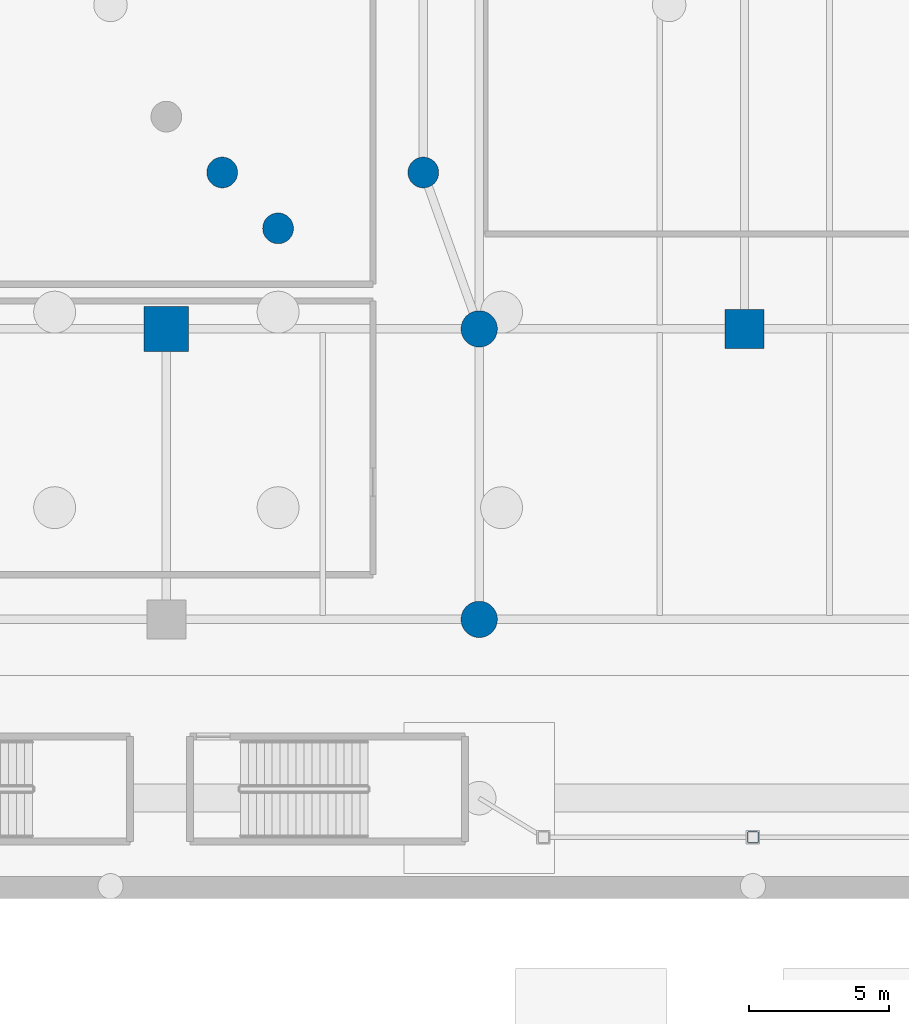
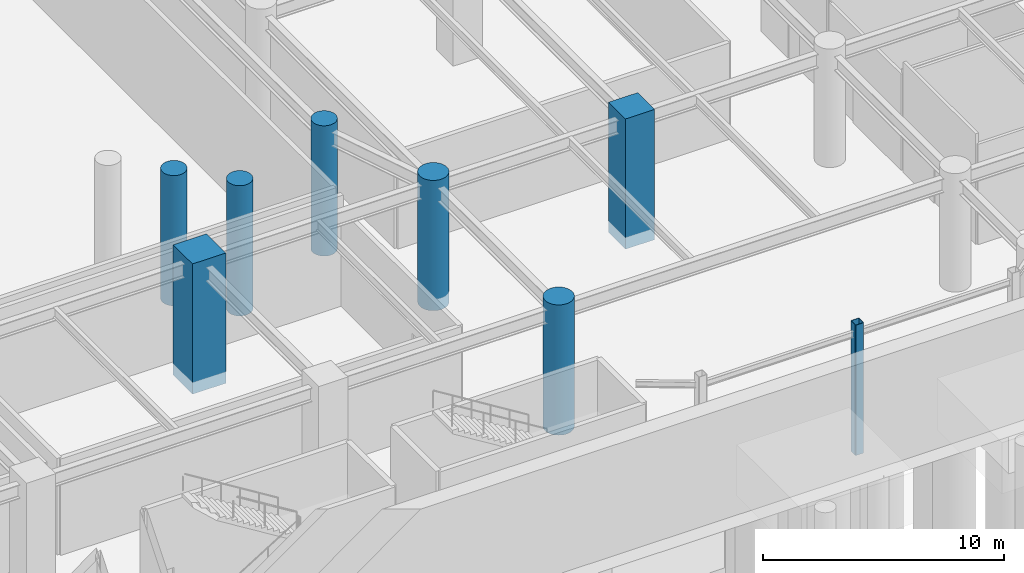
# One storey, part 3 of 37: 8 columns.
"""IFC4 building model written with IfcOpenShell, lengths in metres."""

from ifc_helpers import new_model, si_unit, direction, frame, origin, origin_2d, place, context, subcontext, project, spatial, rectangle, hollow_rectangle, circle, extrude, material, material_profile, profile_set, type_object, element, save


model = new_model("IFC4")

# Units and contexts
model_context = context("Model", 3, precision=1e-05, world=origin(), true_north=direction((0.0, 1.0)))
body_context = subcontext(model_context, "Body", "Model", "MODEL_VIEW")
ifc_project = project(units=[si_unit("LENGTHUNIT", "METRE"), si_unit("AREAUNIT", "SQUARE_METRE"), si_unit("VOLUMEUNIT", "CUBIC_METRE"), si_unit("PLANEANGLEUNIT", "RADIAN"), si_unit("MASSUNIT", "GRAM", prefix="KILO")], contexts=[model_context])

# Site, building, storey
site_placement = place(None, origin())
site = spatial("IfcSite", under=ifc_project, at=site_placement, CompositionType="ELEMENT")
building_placement = place(site_placement, origin())
building = spatial("IfcBuilding", under=site, at=building_placement, Name="Narakoshi Arena Tower", CompositionType="ELEMENT")
storey_placement = place(building_placement, frame((0.0, 0.0, -6.0)))
storey = spatial("IfcBuildingStorey", under=building, at=storey_placement, Name="B01", CompositionType="ELEMENT", Elevation=-6.0)

# Columns
ifc_material_1 = material(Name="Concrete C50/60", Category="concrete")
ifc_material_profile_1 = material_profile(ifc_material_1, circle(Radius=0.550048828125, at=origin_2d()), Name="RCC1100")
ifc_profile_set_1 = profile_set([ifc_material_profile_1], Name="Concrete C50/60")
column_type_1 = type_object("IfcColumnType", Name="COL-CIR1100", PredefinedType="PILASTER", material=ifc_profile_set_1)
for number, where, z_axis, x_axis, name in (
    (1, (42.0, 26.0, -0.60009765625), (0.0, 0.0, 1.0), (1.0, 0.0, 0.0), "B01 Arena Bowl Raker Column BWL2B"),
    (2, (44.0, 24.0, -0.60009765625), (0.0, 0.0, 1.0), (1.0, 0.0, 0.0), "B01 Arena Bowl Raker Column BWL3B"),
    (3, (49.199951171875, 26.0, -0.60009765625), (0.0, 0.0, 1.0), (1.0, 0.0, 0.0), "B01 Arena Foyer Pilaster Column 01"),
):
    element("IfcColumn", number, at=place(storey_placement, frame(where, z_axis=z_axis, x_axis=x_axis)), inside=storey, type_object=column_type_1, Name=name, PredefinedType="PILASTER", context=body_context, shape_type="SweptSolid", body=[
        extrude(circle(Radius=0.550048828125, at=origin_2d()), origin(), (0.0, 0.0, 1.0), 6.60009765625),
    ])
ifc_material_2 = material(Name="Concrete C60/75", Category="concrete")
ifc_material_profile_2 = material_profile(ifc_material_2, circle(Radius=0.64990234375, at=origin_2d()), Name="RCC1300")
ifc_profile_set_2 = profile_set([ifc_material_profile_2], Name="Concrete C60/75")
column_type_2 = type_object("IfcColumnType", Name="COL-CIR1300", PredefinedType="PILASTER", material=ifc_profile_set_2)
for number, where, z_axis, x_axis, name in (
    (4, (51.199951171875, 10.0, -0.60009765625), (0.0, 0.0, 1.0), (1.0, 0.0, 0.0), "B01 Podium Column PC22"),
    (5, (51.199951171875, 20.39990234375, -0.60009765625), (0.0, 0.0, 1.0), (1.0, 0.0, 0.0), "B01 Podium Column PC23"),
):
    element("IfcColumn", number, at=place(storey_placement, frame(where, z_axis=z_axis, x_axis=x_axis)), inside=storey, type_object=column_type_2, Name=name, PredefinedType="PILASTER", context=body_context, shape_type="SweptSolid", body=[
        extrude(circle(Radius=0.64990234375, at=origin_2d()), origin(), (0.0, 0.0, 1.0), 6.60009765625),
    ])
ifc_material_profile_3 = material_profile(ifc_material_2, rectangle(XDim=1.39990234375, YDim=1.39990234375, at=origin_2d()), Name="RC1400x1400")
ifc_profile_set_3 = profile_set([ifc_material_profile_3], Name="Concrete C60/75")
column_type_3 = type_object("IfcColumnType", Name="COL-RC1400", PredefinedType="COLUMN", material=ifc_profile_set_3)
column_1_placement = place(storey_placement, frame((60.699951171875, 20.39990234375, -0.60009765625), z_axis=(0.0, 0.0, 1.0), x_axis=(1.0, 0.0, 0.0)))
element("IfcColumn", 6, at=column_1_placement, inside=storey, type_object=column_type_3, Name="B01 Podium Column PC29", PredefinedType="COLUMN", context=body_context, shape_type="SweptSolid", body=[
    extrude(rectangle(XDim=1.39990234375, YDim=1.39990234375, at=origin_2d()), origin(), (0.0, 0.0, 1.0), 6.60009765625),
])
ifc_material_profile_4 = material_profile(ifc_material_2, rectangle(XDim=1.60009765625, YDim=1.60009765625, at=origin_2d()), Name="RC1600x1600")
ifc_profile_set_4 = profile_set([ifc_material_profile_4], Name="Concrete C60/75")
column_type_4 = type_object("IfcColumnType", Name="COL-RC1600", PredefinedType="COLUMN", material=ifc_profile_set_4)
column_2_placement = place(storey_placement, frame((40.0, 20.39990234375, -0.60009765625), z_axis=(0.0, 0.0, 1.0), x_axis=(1.0, 0.0, 0.0)))
element("IfcColumn", 7, at=column_2_placement, inside=storey, type_object=column_type_4, Name="B01 Podium Column PC19", PredefinedType="COLUMN", context=body_context, shape_type="SweptSolid", body=[
    extrude(rectangle(XDim=1.60009765625, YDim=1.60009765625, at=origin_2d()), origin(), (0.0, 0.0, 1.0), 6.60009765625),
])
ifc_material_3 = material(Name="Structural steel S355J2", Category="steel")
ifc_material_profile_5 = material_profile(ifc_material_3, hollow_rectangle(XDim=0.39990234375, YDim=0.39990234375, WallThickness=0.02001953125, OuterFilletRadius=0.0400390625, at=origin_2d()), Name="SHS400x400x20")
ifc_profile_set_5 = profile_set([ifc_material_profile_5], Name="Structural steel S355J2")
column_type_5 = type_object("IfcColumnType", Name="COL-SHS400", PredefinedType="COLUMN", material=ifc_profile_set_5)
column_3_placement = place(storey_placement, frame((61.0, 2.199951171875, -0.60009765625), z_axis=(0.0, 0.0, 1.0), x_axis=(1.0, 0.0, 0.0)))
element("IfcColumn", 8, at=column_3_placement, inside=storey, type_object=column_type_5, Name="B01 Concourse Canopy Column CAN02", PredefinedType="COLUMN", context=body_context, shape_type="SweptSolid", body=[
    extrude(hollow_rectangle(XDim=0.39990234375, YDim=0.39990234375, WallThickness=0.02001953125, OuterFilletRadius=0.0400390625, at=origin_2d()), origin(), (0.0, 0.0, 1.0), 6.60009765625),
])

save(model, "model.ifc")
